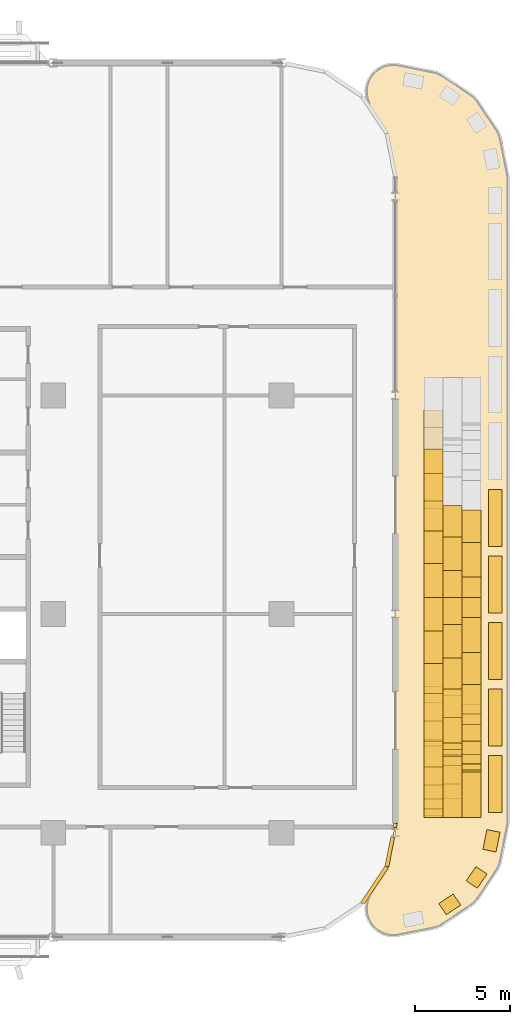
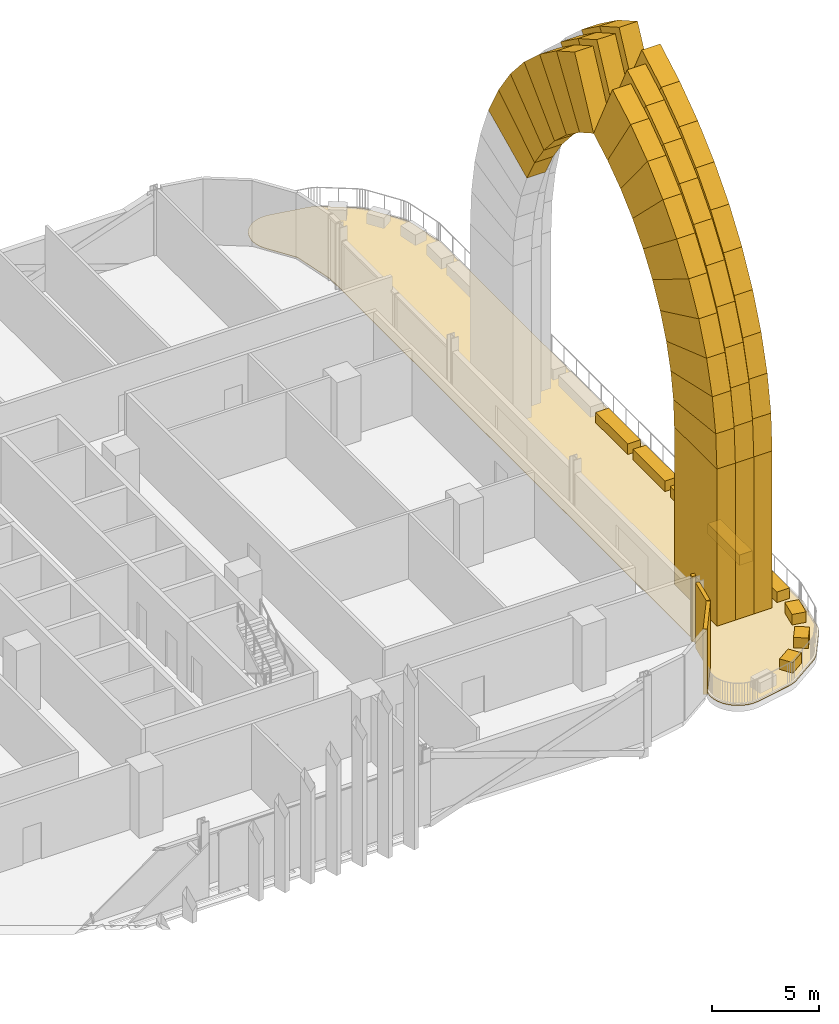
# One storey, part 30 of 33: 55 coverings.
"""IFC4 building model written with IfcOpenShell, lengths in metres."""

from ifc_helpers import new_model, si_unit, direction, frame, origin, origin_2d, place, context, subcontext, project, spatial, polyline, rectangle, outline, extrude, material, layer, layer_set, type_object, element, save


model = new_model("IFC4")

# Units and contexts
model_context = context("Model", 3, precision=1e-05, world=origin(), true_north=direction((0.0, 1.0)))
body_context = subcontext(model_context, "Body", "Model", "MODEL_VIEW")
ifc_project = project(units=[si_unit("LENGTHUNIT", "METRE"), si_unit("AREAUNIT", "SQUARE_METRE"), si_unit("VOLUMEUNIT", "CUBIC_METRE"), si_unit("PLANEANGLEUNIT", "RADIAN"), si_unit("MASSUNIT", "GRAM", prefix="KILO")], contexts=[model_context])

# Site, building, storey
site_placement = place(None, origin())
site = spatial("IfcSite", under=ifc_project, at=site_placement, CompositionType="ELEMENT")
building_placement = place(site_placement, origin())
building = spatial("IfcBuilding", under=site, at=building_placement, Name="Mahtab Terrace Research Tower", CompositionType="ELEMENT")
storey_placement = place(building_placement, frame((0.0, 0.0, 122.0)))
storey = spatial("IfcBuildingStorey", under=building, at=storey_placement, Name="L28", CompositionType="ELEMENT", Elevation=122.0)

# Coverings
ifc_material_1 = material(Name="Black aluminium cladding panel", Category="aluminium")
ifc_layer_1 = layer(ifc_material_1, 0.199951171875)
ifc_layer_set_1 = layer_set([ifc_layer_1], Name="Black metal corner cladding 200")
covering_type_1 = type_object("IfcCoveringType", Name="Black metal corner cladding 200", PredefinedType="CLADDING", material=ifc_layer_set_1)
covering_1_placement = place(storey_placement, frame((46.89306640625, -14.26953125, 0.0), z_axis=(0.0, 0.0, 1.0), x_axis=(0.555291490808, 0.831655794326, 0.0)))
element("IfcCovering", 1, at=covering_1_placement, inside=storey, type_object=covering_type_1, Name="Corner cladding L28 33", PredefinedType="CLADDING", context=body_context, shape_type="SweptSolid", body=[
    extrude(rectangle(XDim=2.30126953125, YDim=0.199951171875, at=origin_2d()), origin(), (0.0, 0.0, 1.0), 3.760009765625),
])
covering_2_placement = place(storey_placement, frame((47.700439453125, -12.50439453125, 0.0), z_axis=(0.0, 0.0, 1.0), x_axis=(0.195212442692, 0.980760981187, 0.0)))
element("IfcCovering", 2, at=covering_2_placement, inside=storey, type_object=covering_type_1, Name="Corner cladding L28 34", PredefinedType="CLADDING", context=body_context, shape_type="SweptSolid", body=[
    extrude(rectangle(XDim=1.574462890625, YDim=0.199951171875, at=origin_2d()), origin(), (0.0, 0.0, 1.0), 3.760009765625),
])
covering_3_placement = place(storey_placement, frame((47.97607421875, -11.11962890625, 0.0), z_axis=(0.0, 0.0, 1.0), x_axis=(0.195212442692, 0.980760981187, 0.0)))
element("IfcCovering", 3, at=covering_3_placement, inside=storey, type_object=covering_type_1, Name="Corner cladding L28 35", PredefinedType="CLADDING", context=body_context, shape_type="SweptSolid", body=[
    extrude(rectangle(XDim=0.22412109375, YDim=0.199951171875, at=origin_2d()), origin(), (0.0, 0.0, 1.0), 3.760009765625),
])
ifc_material_2 = material(Name="Glazed ceramic tile cladding", Category="masonry")
ifc_layer_2 = layer(ifc_material_2, 1.0)
ifc_layer_set_2 = layer_set([ifc_layer_2], Name="Iwan portal cladding arch course 800")
covering_type_2 = type_object("IfcCoveringType", Name="Iwan portal cladding arch course 800", PredefinedType="CLADDING", material=ifc_layer_set_2)
covering_4_placement = place(storey_placement, frame((49.5, -10.699951171875, 9.030029296875), z_axis=(-1.0, 0.0, 0.0), x_axis=(0.0, 0.055608128276, 0.998452670921)))
element("IfcCovering", 4, at=covering_4_placement, inside=storey, type_object=covering_type_2, Name="Iwan portal arch course 3.1.1W1", PredefinedType="CLADDING", context=body_context, shape_type="SweptSolid", body=[
    extrude(outline(polyline([(0.0, 0.0), (1.958107962389627, 0.0), (1.7367261134787464, 3.9935876808494206), (0.2224325131023262, 3.9938106836848166), (0.0, 0.0)])), origin(), (0.0, 0.0, -1.0), 1.0),
])
covering_5_placement = place(storey_placement, frame((49.5, -10.591064453125, 10.985107421875), z_axis=(-1.0, 0.0, 0.0), x_axis=(0.0, 0.165470595385, 0.986214724116)))
element("IfcCovering", 5, at=covering_5_placement, inside=storey, type_object=covering_type_2, Name="Iwan portal arch course 3.1.1W2", PredefinedType="CLADDING", context=body_context, shape_type="SweptSolid", body=[
    extrude(outline(polyline([(0.0, 0.0), (1.9578983723408883, 0.0), (1.7346238573770076, 3.994104813058729), (0.22075500727341862, 3.9936223800483646), (0.0, 0.0)])), origin(), (0.0, 0.0, -1.0), 1.0),
])
covering_6_placement = place(storey_placement, frame((49.5, -10.26708984375, 12.916015625), z_axis=(-1.0, 0.0, 0.0), x_axis=(0.0, 0.274424566844, 0.961608629908)))
element("IfcCovering", 6, at=covering_6_placement, inside=storey, type_object=covering_type_2, Name="Iwan portal arch course 3.1.1W3", PredefinedType="CLADDING", context=body_context, shape_type="SweptSolid", body=[
    extrude(outline(polyline([(0.0, 0.0), (1.9572204528841142, -1.1102230246251565e-16), (1.7376069186831846, 3.9936170770848083), (0.2235552506160865, 3.9940891097537174), (0.0, 0.0)])), origin(), (0.0, 0.0, -1.0), 1.0),
])
covering_7_placement = place(storey_placement, frame((49.5, -9.72998046875, 14.798095703125), z_axis=(-1.0, 0.0, 0.0), x_axis=(0.0, 0.378496873899, 0.925602569383)))
element("IfcCovering", 7, at=covering_7_placement, inside=storey, type_object=covering_type_2, Name="Iwan portal arch course 3.1.1W4", PredefinedType="CLADDING", context=body_context, shape_type="SweptSolid", body=[
    extrude(outline(polyline([(0.0, 0.0), (1.9576563189075162, -1.1102230246251565e-16), (1.7346084596754423, 3.993596805578827), (0.22084739797357766, 3.9935490343297317), (0.0, 0.0)])), origin(), (0.0, 0.0, -1.0), 1.0),
])
covering_8_placement = place(storey_placement, frame((49.5, -8.989013671875, 16.610107421875), z_axis=(-1.0, 0.0, 0.0), x_axis=(0.0, 0.478991884908, 0.877819328901)))
element("IfcCovering", 8, at=covering_8_placement, inside=storey, type_object=covering_type_2, Name="Iwan portal arch course 3.1.1W5", PredefinedType="CLADDING", context=body_context, shape_type="SweptSolid", body=[
    extrude(outline(polyline([(0.0, 0.0), (1.958255057765819, 1.1102230246251565e-16), (1.736319041177535, 3.9945031054163826), (0.2220386522798834, 3.9936530432589095), (0.0, 0.0)])), origin(), (0.0, 0.0, -1.0), 1.0),
])
covering_9_placement = place(storey_placement, frame((49.5, -8.051025390625, 18.3291015625), z_axis=(-1.0, 0.0, 0.0), x_axis=(0.0, 0.573546021853, 0.819173339908)))
element("IfcCovering", 9, at=covering_9_placement, inside=storey, type_object=covering_type_2, Name="Iwan portal arch course 3.1.1W6", PredefinedType="CLADDING", context=body_context, shape_type="SweptSolid", body=[
    extrude(outline(polyline([(0.0, 0.0), (1.958076304619543, -1.1102230246251565e-16), (1.7367556536446804, 3.9942182573201395), (0.2231966934196037, 3.994432862207945), (0.0, 0.0)])), origin(), (0.0, 0.0, -1.0), 1.0),
])
covering_10_placement = place(storey_placement, frame((49.5, -6.927978515625, 19.93310546875), z_axis=(-1.0, 0.0, 0.0), x_axis=(0.0, 0.6607010122, 0.750649167373)))
element("IfcCovering", 10, at=covering_10_placement, inside=storey, type_object=covering_type_2, Name="Iwan portal arch course 3.1.1W7", PredefinedType="CLADDING", context=body_context, shape_type="SweptSolid", body=[
    extrude(outline(polyline([(0.0, 0.0), (1.9569649904040556, 1.1102230246251565e-16), (1.735614963891505, 3.994272022321862), (0.22218676033727314, 3.994170171786412), (0.0, 0.0)])), origin(), (0.0, 0.0, -1.0), 1.0),
])
covering_11_placement = place(storey_placement, frame((49.5, -5.635009765625, 21.402099609375), z_axis=(-1.0, 0.0, 0.0), x_axis=(0.0, 0.739782128737, 0.672846492152)))
element("IfcCovering", 11, at=covering_11_placement, inside=storey, type_object=covering_type_2, Name="Iwan portal arch course 3.1.1W8", PredefinedType="CLADDING", context=body_context, shape_type="SweptSolid", body=[
    extrude(outline(polyline([(0.0, 0.0), (1.958650463547607, 1.1102230246251565e-16), (1.736565067343301, 3.9938441490873515), (0.22244351393524875, 3.994211274538244), (0.0, 0.0)])), origin(), (0.0, 0.0, -1.0), 1.0),
])
covering_12_placement = place(storey_placement, frame((49.5, -4.18603515625, 22.719970703125), z_axis=(-1.0, 0.0, 0.0), x_axis=(0.0, 0.809651927996, 0.586910347065)))
element("IfcCovering", 12, at=covering_12_placement, inside=storey, type_object=covering_type_2, Name="Iwan portal arch course 3.1.1W9", PredefinedType="CLADDING", context=body_context, shape_type="SweptSolid", body=[
    extrude(outline(polyline([(0.0, 0.0), (1.9575831078709793, 0.0), (1.7353460516066253, 3.9937908281845615), (0.2209386892870886, 3.99390774880725), (0.0, 0.0)])), origin(), (0.0, 0.0, -1.0), 1.0),
])
covering_13_placement = place(storey_placement, frame((49.5, -2.60107421875, 23.868896484375), z_axis=(-1.0, 0.0, 0.0), x_axis=(0.0, 0.869811744369, 0.493383754655)))
element("IfcCovering", 13, at=covering_13_placement, inside=storey, type_object=covering_type_2, Name="Iwan portal arch course 3.1.1W10", PredefinedType="CLADDING", context=body_context, shape_type="SweptSolid", body=[
    extrude(outline(polyline([(0.0, 0.0), (1.958038634250281, -1.1102230246251565e-16), (1.7366199670600084, 3.993695718203156), (0.22257728191069415, 3.993771881573285), (0.0, 0.0)])), origin(), (0.0, 0.0, -1.0), 1.0),
])
covering_14_placement = place(storey_placement, frame((49.5, 7.135986328125, 14.89208984375), z_axis=(-1.0, 0.0, 0.0), x_axis=(0.0, -0.479484585332, 0.877550301937)))
element("IfcCovering", 14, at=covering_14_placement, inside=storey, type_object=covering_type_2, Name="Iwan portal arch course 3.1.1E5", PredefinedType="CLADDING", context=body_context, shape_type="SweptSolid", body=[
    extrude(outline(polyline([(0.0, 0.0), (1.514280627494684, 1.1102230246251565e-16), (1.7339742401193667, 3.994627062844805), (-0.2242805090947626, 3.9935277695638485), (0.0, 0.0)])), origin(), (0.0, 0.0, -1.0), 1.0),
])
covering_15_placement = place(storey_placement, frame((49.5, 6.409912109375, 16.220947265625), z_axis=(-1.0, 0.0, 0.0), x_axis=(0.0, -0.573429866929, 0.819254653764)))
element("IfcCovering", 15, at=covering_15_placement, inside=storey, type_object=covering_type_2, Name="Iwan portal arch course 3.1.1E6", PredefinedType="CLADDING", context=body_context, shape_type="SweptSolid", body=[
    extrude(outline(polyline([(0.0, 0.0), (1.5135589754393033, 1.1102230246251565e-16), (1.7354459574311054, 3.994186836501272), (-0.22263032750594292, 3.9944644687260387), (0.0, 0.0)])), origin(), (0.0, 0.0, -1.0), 1.0),
])
covering_16_placement = place(storey_placement, frame((49.5, 5.5419921875, 17.4609375), z_axis=(-1.0, 0.0, 0.0), x_axis=(0.0, -0.660751527814, 0.750604701885)))
element("IfcCovering", 16, at=covering_16_placement, inside=storey, type_object=covering_type_2, Name="Iwan portal arch course 3.1.1E7", PredefinedType="CLADDING", context=body_context, shape_type="SweptSolid", body=[
    extrude(outline(polyline([(0.0, 0.0), (1.5134282069813951, -1.1102230246251565e-16), (1.7345094268859211, 3.9942869096680838), (-0.22245555908658066, 3.994155210039909), (0.0, 0.0)])), origin(), (0.0, 0.0, -1.0), 1.0),
])
covering_17_placement = place(storey_placement, frame((49.5, 4.5419921875, 18.596923828125), z_axis=(-1.0, 0.0, 0.0), x_axis=(0.0, -0.739618963507, 0.673025845581)))
element("IfcCovering", 17, at=covering_17_placement, inside=storey, type_object=covering_type_2, Name="Iwan portal arch course 3.1.1E8", PredefinedType="CLADDING", context=body_context, shape_type="SweptSolid", body=[
    extrude(outline(polyline([(0.0, 0.0), (1.514121597916069, 0.0), (1.7371753654529443, 3.9937901831711318), (-0.22147504051959888, 3.9942650924753513), (0.0, 0.0)])), origin(), (0.0, 0.0, -1.0), 1.0),
])
covering_18_placement = place(storey_placement, frame((49.5, 3.422119140625, 19.615966796875), z_axis=(-1.0, 0.0, 0.0), x_axis=(0.0, -0.809606612859, 0.586972854922)))
element("IfcCovering", 18, at=covering_18_placement, inside=storey, type_object=covering_type_2, Name="Iwan portal arch course 3.1.1E9", PredefinedType="CLADDING", context=body_context, shape_type="SweptSolid", body=[
    extrude(outline(polyline([(0.0, 0.0), (1.5144073668329958, 0.0), (1.7369527651707508, 3.993773658352068), (-0.22063033686595168, 3.993924794592521), (0.0, 0.0)])), origin(), (0.0, 0.0, -1.0), 1.0),
])
covering_19_placement = place(storey_placement, frame((49.5, 2.196044921875, 20.5048828125), z_axis=(-1.0, 0.0, 0.0), x_axis=(0.0, -0.86966906985, 0.493635198245)))
element("IfcCovering", 19, at=covering_19_placement, inside=storey, type_object=covering_type_2, Name="Iwan portal arch course 3.1.1E10", PredefinedType="CLADDING", context=body_context, shape_type="SweptSolid", body=[
    extrude(outline(polyline([(0.0, 0.0), (1.5134056792457524, 0.0), (1.7366158867680235, 3.9932699895367305), (-0.22142266565592283, 3.9938360621840747), (0.0, 0.0)])), origin(), (0.0, 0.0, -1.0), 1.0),
])
covering_20_placement = place(storey_placement, frame((50.5, -10.699951171875, 9.030029296875), z_axis=(-1.0, 0.0, 0.0), x_axis=(0.0, 0.055709925192, 0.998446996207)))
element("IfcCovering", 20, at=covering_20_placement, inside=storey, type_object=covering_type_2, Name="Iwan portal arch course 3.1.2W1", PredefinedType="CLADDING", context=body_context, shape_type="SweptSolid", body=[
    extrude(outline(polyline([(0.0, 0.0), (2.0290299975319614, -1.3877787807814457e-17), (1.8517545686114756, 3.194769130084838), (0.17826904040347785, 3.1949816355681624), (0.0, 0.0)])), origin(), (0.0, 0.0, -1.0), 1.0),
])
covering_21_placement = place(storey_placement, frame((50.5, -10.5869140625, 11.055908203125), z_axis=(-1.0, 0.0, 0.0), x_axis=(0.0, 0.165648245085, 0.98618490097)))
element("IfcCovering", 21, at=covering_21_placement, inside=storey, type_object=covering_type_2, Name="Iwan portal arch course 3.1.2W2", PredefinedType="CLADDING", context=body_context, shape_type="SweptSolid", body=[
    extrude(outline(polyline([(0.0, 0.0), (2.02801725927228, -5.551115123125783e-17), (1.850887399816214, 3.1945682774839326), (0.1766737173385941, 3.1948024617875417), (0.0, 0.0)])), origin(), (0.0, 0.0, -1.0), 1.0),
])
covering_22_placement = place(storey_placement, frame((50.5, -10.2509765625, 13.055908203125), z_axis=(-1.0, 0.0, 0.0), x_axis=(0.0, 0.273879057968, 0.961764140321)))
element("IfcCovering", 22, at=covering_22_placement, inside=storey, type_object=covering_type_2, Name="Iwan portal arch course 3.1.2W3", PredefinedType="CLADDING", context=body_context, shape_type="SweptSolid", body=[
    extrude(outline(polyline([(0.0, 0.0), (2.029757978758886, 0.0), (1.8509331479999127, 3.195322188910018), (0.17785738782110838, 3.1945278549756044), (0.0, 0.0)])), origin(), (0.0, 0.0, -1.0), 1.0),
])
covering_23_placement = place(storey_placement, frame((50.5, -9.695068359375, 15.008056640625), z_axis=(-1.0, 0.0, 0.0), x_axis=(0.0, 0.378726593786, 0.925508599182)))
element("IfcCovering", 23, at=covering_23_placement, inside=storey, type_object=covering_type_2, Name="Iwan portal arch course 3.1.2W4", PredefinedType="CLADDING", context=body_context, shape_type="SweptSolid", body=[
    extrude(outline(polyline([(0.0, 0.0), (2.028023431288962, 0.0), (1.8499282799344112, 3.1953694982217566), (0.17621580452516306, 3.195467133498987), (0.0, 0.0)])), origin(), (0.0, 0.0, -1.0), 1.0),
])
covering_24_placement = place(storey_placement, frame((50.5, -8.927001953125, 16.885009765625), z_axis=(-1.0, 0.0, 0.0), x_axis=(0.0, 0.479029165307, 0.877798985409)))
element("IfcCovering", 24, at=covering_24_placement, inside=storey, type_object=covering_type_2, Name="Iwan portal arch course 3.1.2W5", PredefinedType="CLADDING", context=body_context, shape_type="SweptSolid", body=[
    extrude(outline(polyline([(0.0, 0.0), (2.028944996495774, 0.0), (1.8510331169808611, 3.1957153390415747), (0.17736922458824278, 3.195409875316612), (0.0, 0.0)])), origin(), (0.0, 0.0, -1.0), 1.0),
])
covering_25_placement = place(storey_placement, frame((50.5, -7.955078125, 18.666015625), z_axis=(-1.0, 0.0, 0.0), x_axis=(0.0, 0.573712659527, 0.819056642912)))
element("IfcCovering", 25, at=covering_25_placement, inside=storey, type_object=covering_type_2, Name="Iwan portal arch course 3.1.2W6", PredefinedType="CLADDING", context=body_context, shape_type="SweptSolid", body=[
    extrude(outline(polyline([(0.0, 0.0), (2.028999152570184, 1.1102230246251565e-16), (1.8534085840724372, 3.1949582924909015), (0.1787234710143928, 3.1956700527380333), (0.0, 0.0)])), origin(), (0.0, 0.0, -1.0), 1.0),
])
covering_26_placement = place(storey_placement, frame((50.5, -6.791015625, 20.327880859375), z_axis=(-1.0, 0.0, 0.0), x_axis=(0.0, 0.660538368722, 0.750792290482)))
element("IfcCovering", 26, at=covering_26_placement, inside=storey, type_object=covering_type_2, Name="Iwan portal arch course 3.1.2W7", PredefinedType="CLADDING", context=body_context, shape_type="SweptSolid", body=[
    extrude(outline(polyline([(0.0, 0.0), (2.028781300348527, -2.220446049250313e-16), (1.8505897097377262, 3.194902601381467), (0.17781817676133138, 3.194835087217338), (0.0, 0.0)])), origin(), (0.0, 0.0, -1.0), 1.0),
])
covering_27_placement = place(storey_placement, frame((50.5, -5.450927734375, 21.85107421875), z_axis=(-1.0, 0.0, 0.0), x_axis=(0.0, 0.739825716282, 0.672798565343)))
element("IfcCovering", 27, at=covering_27_placement, inside=storey, type_object=covering_type_2, Name="Iwan portal arch course 3.1.2W8", PredefinedType="CLADDING", context=body_context, shape_type="SweptSolid", body=[
    extrude(outline(polyline([(0.0, 0.0), (2.028824531868992, 0.0), (1.851179307913215, 3.194853589216456), (0.17769220082612658, 3.1949304150550826), (0.0, 0.0)])), origin(), (0.0, 0.0, -1.0), 1.0),
])
covering_28_placement = place(storey_placement, frame((50.5, -3.949951171875, 23.216064453125), z_axis=(-1.0, 0.0, 0.0), x_axis=(0.0, 0.809681903413, 0.586868993291)))
element("IfcCovering", 28, at=covering_28_placement, inside=storey, type_object=covering_type_2, Name="Iwan portal arch course 3.1.2W9", PredefinedType="CLADDING", context=body_context, shape_type="SweptSolid", body=[
    extrude(outline(polyline([(0.0, 0.0), (2.0292739646580293, 0.0), (1.8515822290976784, 3.194632593223983), (0.1767055866329308, 3.194905697790825), (0.0, 0.0)])), origin(), (0.0, 0.0, -1.0), 1.0),
])
covering_29_placement = place(storey_placement, frame((50.5, -2.306884765625, 24.406982421875), z_axis=(-1.0, 0.0, 0.0), x_axis=(0.0, 0.869720828921, 0.493543999803)))
element("IfcCovering", 29, at=covering_29_placement, inside=storey, type_object=covering_type_2, Name="Iwan portal arch course 3.1.2W10", PredefinedType="CLADDING", context=body_context, shape_type="SweptSolid", body=[
    extrude(outline(polyline([(0.0, 0.0), (2.028140475621127, 0.0), (1.85114339975816, 3.1948308695194805), (0.17736296660691409, 3.1946508630289845), (0.0, 0.0)])), origin(), (0.0, 0.0, -1.0), 1.0),
])
covering_30_placement = place(storey_placement, frame((50.5, 3.69091796875, 20.73291015625), z_axis=(-1.0, 0.0, 0.0), x_axis=(0.0, -0.809586198079, 0.587001011823)))
element("IfcCovering", 30, at=covering_30_placement, inside=storey, type_object=covering_type_2, Name="Iwan portal arch course 3.1.2E9", PredefinedType="CLADDING", context=body_context, shape_type="SweptSolid", body=[
    extrude(outline(polyline([(0.0, 0.0), (1.674876664730896, 0.0), (1.8530893131515505, 3.1946035764267116), (-0.17618462452890093, 3.194934468843325), (0.0, 0.0)])), origin(), (0.0, 0.0, -1.0), 1.0),
])
covering_31_placement = place(storey_placement, frame((50.5, 2.3349609375, 21.716064453125), z_axis=(-1.0, 0.0, 0.0), x_axis=(0.0, -0.869667292019, 0.493638330352)))
element("IfcCovering", 31, at=covering_31_placement, inside=storey, type_object=covering_type_2, Name="Iwan portal arch course 3.1.2E10", PredefinedType="CLADDING", context=body_context, shape_type="SweptSolid", body=[
    extrude(outline(polyline([(0.0, 0.0), (1.673143440432809, -1.1102230246251565e-16), (1.8511240029317881, 3.1944501013937416), (-0.17701646075935806, 3.194670081744854), (0.0, 0.0)])), origin(), (0.0, 0.0, -1.0), 1.0),
])
covering_32_placement = place(storey_placement, frame((51.5, -10.699951171875, 9.030029296875), z_axis=(-1.0, 0.0, 0.0), x_axis=(0.0, 0.055682482762, 0.998448527023)))
element("IfcCovering", 32, at=covering_32_placement, inside=storey, type_object=covering_type_2, Name="Iwan portal arch course 3.1.3W1", PredefinedType="CLADDING", context=body_context, shape_type="SweptSolid", body=[
    extrude(outline(polyline([(0.0, 0.0), (2.1001822040623797, -1.3877787807814457e-17), (1.9675288173864898, 2.396113741262445), (0.13363252088661404, 2.3961789601150896), (0.0, 0.0)])), origin(), (0.0, 0.0, -1.0), 1.0),
])
covering_33_placement = place(storey_placement, frame((51.5, -10.5830078125, 11.126953125), z_axis=(-1.0, 0.0, 0.0), x_axis=(0.0, 0.165737941798, 0.98616983053)))
element("IfcCovering", 33, at=covering_33_placement, inside=storey, type_object=covering_type_2, Name="Iwan portal arch course 3.1.3W2", PredefinedType="CLADDING", context=body_context, shape_type="SweptSolid", body=[
    extrude(outline(polyline([(0.0, 0.0), (2.0990992578443097, 5.551115123125783e-17), (1.966329672996744, 2.3962093928384087), (0.13309448436957322, 2.396089280534782), (0.0, 0.0)])), origin(), (0.0, 0.0, -1.0), 1.0),
])
covering_34_placement = place(storey_placement, frame((51.5, -10.235107421875, 13.197021484375), z_axis=(-1.0, 0.0, 0.0), x_axis=(0.0, 0.273861281219, 0.961769202381)))
element("IfcCovering", 34, at=covering_34_placement, inside=storey, type_object=covering_type_2, Name="Iwan portal arch course 3.1.3W3", PredefinedType="CLADDING", context=body_context, shape_type="SweptSolid", body=[
    extrude(outline(polyline([(0.0, 0.0), (2.100316298597295, 0.0), (1.9662459095323535, 2.396145508134793), (0.13323951192948402, 2.396183308816002), (0.0, 0.0)])), origin(), (0.0, 0.0, -1.0), 1.0),
])
covering_35_placement = place(storey_placement, frame((51.5, -9.659912109375, 15.217041015625), z_axis=(-1.0, 0.0, 0.0), x_axis=(0.0, 0.379076522814, 0.925365327777)))
element("IfcCovering", 35, at=covering_35_placement, inside=storey, type_object=covering_type_2, Name="Iwan portal arch course 3.1.3W4", PredefinedType="CLADDING", context=body_context, shape_type="SweptSolid", body=[
    extrude(outline(polyline([(0.0, 0.0), (2.0995719586964063, 1.1102230246251565e-16), (1.9669707470982734, 2.3960895520481547), (0.13312180817562247, 2.3961983952850447), (0.0, 0.0)])), origin(), (0.0, 0.0, -1.0), 1.0),
])
covering_36_placement = place(storey_placement, frame((51.5, -8.864013671875, 17.159912109375), z_axis=(-1.0, 0.0, 0.0), x_axis=(0.0, 0.479153518819, 0.877731112245)))
element("IfcCovering", 36, at=covering_36_placement, inside=storey, type_object=covering_type_2, Name="Iwan portal arch course 3.1.3W5", PredefinedType="CLADDING", context=body_context, shape_type="SweptSolid", body=[
    extrude(outline(polyline([(0.0, 0.0), (2.0997519085431797, 0.0), (1.9664233302015228, 2.3956120359769586), (0.13337601221277962, 2.396046548403815), (0.0, 0.0)])), origin(), (0.0, 0.0, -1.0), 1.0),
])
covering_37_placement = place(storey_placement, frame((51.5, -7.85791015625, 19.0029296875), z_axis=(-1.0, 0.0, 0.0), x_axis=(0.0, 0.573150264957, 0.819450287558)))
element("IfcCovering", 37, at=covering_37_placement, inside=storey, type_object=covering_type_2, Name="Iwan portal arch course 3.1.3W6", PredefinedType="CLADDING", context=body_context, shape_type="SweptSolid", body=[
    extrude(outline(polyline([(0.0, 0.0), (2.1004219931129016, -1.1102230246251565e-16), (1.966004341716326, 2.395542317139529), (0.1320326960009801, 2.3956838071638313), (0.0, 0.0)])), origin(), (0.0, 0.0, -1.0), 1.0),
])
covering_38_placement = place(storey_placement, frame((51.5, -6.654052734375, 20.72412109375), z_axis=(-1.0, 0.0, 0.0), x_axis=(0.0, 0.660667217986, 0.750678910773)))
element("IfcCovering", 38, at=covering_38_placement, inside=storey, type_object=covering_type_2, Name="Iwan portal arch course 3.1.3W7", PredefinedType="CLADDING", context=body_context, shape_type="SweptSolid", body=[
    extrude(outline(polyline([(0.0, 0.0), (2.099336629495893, 0.0), (1.966386463479545, 2.396520577734406), (0.13263668847600596, 2.3956415856891686), (0.0, 0.0)])), origin(), (0.0, 0.0, -1.0), 1.0),
])
covering_39_placement = place(storey_placement, frame((51.5, -5.26708984375, 22.300048828125), z_axis=(-1.0, 0.0, 0.0), x_axis=(0.0, 0.739692719167, 0.672944783182)))
element("IfcCovering", 39, at=covering_39_placement, inside=storey, type_object=covering_type_2, Name="Iwan portal arch course 3.1.3W8", PredefinedType="CLADDING", context=body_context, shape_type="SweptSolid", body=[
    extrude(outline(polyline([(0.0, 0.0), (2.0994914176985358, 0.0), (1.9666050231012215, 2.3961182181786476), (0.13311155600246605, 2.396511618959279), (0.0, 0.0)])), origin(), (0.0, 0.0, -1.0), 1.0),
])
covering_40_placement = place(storey_placement, frame((51.5, -3.714111328125, 23.712890625), z_axis=(-1.0, 0.0, 0.0), x_axis=(0.0, 0.809715413076, 0.586822758443)))
element("IfcCovering", 40, at=covering_40_placement, inside=storey, type_object=covering_type_2, Name="Iwan portal arch course 3.1.3W9", PredefinedType="CLADDING", context=body_context, shape_type="SweptSolid", body=[
    extrude(outline(polyline([(0.0, 0.0), (2.0997442867493366, 0.0), (1.9671781432623185, 2.396241376808018), (0.1334825771518564, 2.3960850800740756), (0.0, 0.0)])), origin(), (0.0, 0.0, -1.0), 1.0),
])
covering_41_placement = place(storey_placement, frame((51.5, -2.013916015625, 24.945068359375), z_axis=(-1.0, 0.0, 0.0), x_axis=(0.0, 0.869890849414, 0.493244270221)))
element("IfcCovering", 41, at=covering_41_placement, inside=storey, type_object=covering_type_2, Name="Iwan portal arch course 3.1.3W10", PredefinedType="CLADDING", context=body_context, shape_type="SweptSolid", body=[
    extrude(outline(polyline([(0.0, 0.0), (2.1001534825958053, 0.0), (1.9678082600306763, 2.3964199904309527), (0.1344390090907811, 2.396137030964735), (0.0, 0.0)])), origin(), (0.0, 0.0, -1.0), 1.0),
])
covering_42_placement = place(storey_placement, frame((51.5, 3.958984375, 21.85107421875), z_axis=(-1.0, 0.0, 0.0), x_axis=(0.0, -0.809765428514, 0.586753739471)))
element("IfcCovering", 42, at=covering_42_placement, inside=storey, type_object=covering_type_2, Name="Iwan portal arch course 3.1.3E9", PredefinedType="CLADDING", context=body_context, shape_type="SweptSolid", body=[
    extrude(outline(polyline([(0.0, 0.0), (1.8336955727715103, -1.1102230246251565e-16), (1.9660574699324078, 2.396252667501024), (-0.13348911255161622, 2.395930443434809), (0.0, 0.0)])), origin(), (0.0, 0.0, -1.0), 1.0),
])
covering_43_placement = place(storey_placement, frame((51.5, 2.47412109375, 22.927001953125), z_axis=(-1.0, 0.0, 0.0), x_axis=(0.0, -0.869869774773, 0.493281435832)))
element("IfcCovering", 43, at=covering_43_placement, inside=storey, type_object=covering_type_2, Name="Iwan portal arch course 3.1.3E10", PredefinedType="CLADDING", context=body_context, shape_type="SweptSolid", body=[
    extrude(outline(polyline([(0.0, 0.0), (1.8327321255256779, 0.0), (1.9658168465961805, 2.3960530436837746), (-0.13433663408279062, 2.3961427726805247), (0.0, 0.0)])), origin(), (0.0, 0.0, -1.0), 1.0),
])
ifc_layer_3 = layer(ifc_material_2, 1.0)
ifc_layer_set_3 = layer_set([ifc_layer_3], Name="Iwan portal cladding pilaster 900")
covering_type_3 = type_object("IfcCoveringType", Name="Iwan portal cladding pilaster 900", PredefinedType="CLADDING", material=ifc_layer_set_3)
covering_44_placement = place(storey_placement, frame((50.0, -8.699951171875, 0.030029296875), z_axis=(0.0, 0.0, 1.0), x_axis=(0.0, 1.0, 0.0)))
element("IfcCovering", 44, at=covering_44_placement, inside=storey, type_object=covering_type_3, Name="Iwan portal pilaster 3.1.1W", PredefinedType="CLADDING", context=body_context, shape_type="SweptSolid", body=[
    extrude(rectangle(XDim=4.0, YDim=1.0, at=origin_2d()), origin(), (0.0, 0.0, 1.0), 9.0),
])
covering_45_placement = place(storey_placement, frame((51.0, -9.10009765625, 0.030029296875), z_axis=(0.0, 0.0, 1.0), x_axis=(0.0, 1.0, 0.0)))
element("IfcCovering", 45, at=covering_45_placement, inside=storey, type_object=covering_type_3, Name="Iwan portal pilaster 3.1.2W", PredefinedType="CLADDING", context=body_context, shape_type="SweptSolid", body=[
    extrude(rectangle(XDim=3.199951171875, YDim=1.0, at=origin_2d()), origin(), (0.0, 0.0, 1.0), 9.0),
])
covering_46_placement = place(storey_placement, frame((52.0, -9.5, 0.030029296875), z_axis=(0.0, 0.0, 1.0), x_axis=(0.0, 1.0, 0.0)))
element("IfcCovering", 46, at=covering_46_placement, inside=storey, type_object=covering_type_3, Name="Iwan portal pilaster 3.1.3W", PredefinedType="CLADDING", context=body_context, shape_type="SweptSolid", body=[
    extrude(rectangle(XDim=2.39990234375, YDim=1.0, at=origin_2d()), origin(), (0.0, 0.0, 1.0), 9.0),
])
ifc_material_3 = material(Name="Planting soil and shrubs")
ifc_layer_4 = layer(ifc_material_3, 0.1201171875)
ifc_layer_set_4 = layer_set([ifc_layer_4], Name="Planter")
covering_type_4 = type_object("IfcCoveringType", Name="Planter", PredefinedType="USERDEFINED", material=ifc_layer_set_4)
for number, where, z_axis, x_axis, name in (
    (47, (50.853759765625, -15.268798828125, 0.030029296875), (0.0, 0.0, 1.0), (0.831344457855, 0.555757494231, 0.0), "PLANTER terrace 3"),
    (48, (52.268798828125, -13.853759765625, 0.030029296875), (0.0, 0.0, 1.0), (0.555757494231, 0.831344457855, 0.0), "PLANTER terrace 3"),
):
    element("IfcCovering", number, at=place(storey_placement, frame(where, z_axis=z_axis, x_axis=x_axis)), inside=storey, type_object=covering_type_4, Name=name, ObjectType="PLANTER", PredefinedType="USERDEFINED", context=body_context, shape_type="SweptSolid", body=[
        extrude(rectangle(XDim=0.908447265625, YDim=0.699951171875, at=origin_2d()), origin(), (0.0, 0.0, 1.0), 0.60009765625),
    ])
covering_47_placement = place(storey_placement, frame((53.05029296875, -11.92822265625, 0.030029296875), z_axis=(0.0, 0.0, 1.0), x_axis=(0.195303993071, 0.980742754391, 0.0)))
element("IfcCovering", 49, at=covering_47_placement, inside=storey, type_object=covering_type_4, Name="PLANTER terrace 3", ObjectType="PLANTER", PredefinedType="USERDEFINED", context=body_context, shape_type="SweptSolid", body=[
    extrude(rectangle(XDim=1.060546875, YDim=0.699951171875, at=origin_2d()), origin(), (0.0, 0.0, 1.0), 0.60009765625),
])
for number, where, z_axis, x_axis, name in (
    (50, (53.25, -8.93408203125, 0.030029296875), (0.0, 0.0, 1.0), (0.0, 1.0, 0.0), "PLANTER terrace 3"),
    (51, (53.25, -5.43408203125, 0.030029296875), (0.0, 0.0, 1.0), (0.0, 1.0, 0.0), "PLANTER terrace 3"),
    (52, (53.25, -1.93408203125, 0.030029296875), (0.0, 0.0, 1.0), (0.0, 1.0, 0.0), "PLANTER terrace 3"),
    (53, (53.25, 1.56591796875, 0.030029296875), (0.0, 0.0, 1.0), (0.0, 1.0, 0.0), "PLANTER terrace 3"),
    (54, (53.25, 5.06591796875, 0.030029296875), (0.0, 0.0, 1.0), (0.0, 1.0, 0.0), "PLANTER terrace 3"),
):
    element("IfcCovering", number, at=place(storey_placement, frame(where, z_axis=z_axis, x_axis=x_axis)), inside=storey, type_object=covering_type_4, Name=name, ObjectType="PLANTER", PredefinedType="USERDEFINED", context=body_context, shape_type="SweptSolid", body=[
        extrude(rectangle(XDim=3.0, YDim=0.699951171875, at=origin_2d()), origin(), (0.0, 0.0, 1.0), 0.60009765625),
    ])
ifc_material_4 = material(Name="Granite paving", Category="masonry")
ifc_layer_5 = layer(ifc_material_4, 0.030029296875)
ifc_layer_set_5 = layer_set([ifc_layer_5], Name="Terrace roof build-up with granite pavers")
covering_type_5 = type_object("IfcCoveringType", Name="Terrace roof build-up with granite pavers", PredefinedType="ROOFING", material=ifc_layer_set_5)
covering_48_placement = place(storey_placement, origin())
element("IfcCovering", 55, at=covering_48_placement, inside=storey, type_object=covering_type_5, Name="Terrace paving 3", PredefinedType="ROOFING", context=body_context, shape_type="SweptSolid", body=[
    extrude(outline(polyline([(47.52294921875, 25.326904296875), (47.5419921875, 25.294921875), (47.550048828125, 25.260009765625), (47.992919921875, 23.035888671875), (47.998046875, 23.0), (48.0, 22.962890625), (48.0, -10.962890625), (47.998046875, -11.0), (47.992919921875, -11.035888671875), (47.550048828125, -13.260009765625), (47.5419921875, -13.294921875), (47.52294921875, -13.326904296875), (46.631103515625, -14.660888671875), (46.554931640625, -14.7880859375), (46.491943359375, -14.9208984375), (46.443115234375, -15.05908203125), (46.406982421875, -15.201904296875), (46.385009765625, -15.347900390625), (46.3779296875, -15.4951171875), (46.385009765625, -15.64208984375), (46.406982421875, -15.787109375), (46.443115234375, -15.929931640625), (46.491943359375, -16.069091796875), (46.554931640625, -16.201904296875), (46.631103515625, -16.327880859375), (46.718994140625, -16.446044921875), (46.81689453125, -16.555908203125), (46.927001953125, -16.654052734375), (47.044921875, -16.741943359375), (47.1708984375, -16.818115234375), (47.303955078125, -16.881103515625), (47.443115234375, -16.929931640625), (47.5859375, -16.966064453125), (47.73095703125, -16.988037109375), (47.8779296875, -16.9951171875), (48.02490234375, -16.988037109375), (48.1708984375, -16.966064453125), (50.0029296875, -16.60107421875), (50.14599609375, -16.56591796875), (50.284912109375, -16.51611328125), (50.41796875, -16.452880859375), (50.5439453125, -16.3779296875), (51.9951171875, -15.407958984375), (52.113037109375, -15.321044921875), (52.221923828125, -15.221923828125), (52.321044921875, -15.113037109375), (52.407958984375, -14.9951171875), (53.3779296875, -13.5439453125), (53.452880859375, -13.41796875), (53.51611328125, -13.284912109375), (53.56591796875, -13.14599609375), (53.60107421875, -13.0029296875), (53.970947265625, -11.14501953125), (53.992919921875, -10.9990234375), (54.0, -10.85205078125), (54.0, 22.85205078125), (53.992919921875, 22.9990234375), (53.970947265625, 23.14501953125), (53.60107421875, 25.0029296875), (53.56591796875, 25.14599609375), (53.51611328125, 25.284912109375), (53.452880859375, 25.41796875), (53.3779296875, 25.5439453125), (52.407958984375, 26.9951171875), (52.321044921875, 27.113037109375), (52.221923828125, 27.221923828125), (52.113037109375, 27.321044921875), (51.9951171875, 27.407958984375), (50.5439453125, 28.3779296875), (50.41796875, 28.452880859375), (50.284912109375, 28.51611328125), (50.14599609375, 28.56591796875), (50.0029296875, 28.60107421875), (48.1708984375, 28.966064453125), (48.02490234375, 28.988037109375), (47.8779296875, 28.9951171875), (47.73095703125, 28.988037109375), (47.5859375, 28.966064453125), (47.443115234375, 28.929931640625), (47.303955078125, 28.881103515625), (47.1708984375, 28.818115234375), (47.044921875, 28.741943359375), (46.927001953125, 28.654052734375), (46.81689453125, 28.555908203125), (46.718994140625, 28.446044921875), (46.631103515625, 28.327880859375), (46.554931640625, 28.201904296875), (46.491943359375, 28.069091796875), (46.443115234375, 27.929931640625), (46.406982421875, 27.787109375), (46.385009765625, 27.64208984375), (46.3779296875, 27.4951171875), (46.385009765625, 27.347900390625), (46.406982421875, 27.201904296875), (46.443115234375, 27.05908203125), (46.491943359375, 26.9208984375), (46.554931640625, 26.7880859375), (46.631103515625, 26.660888671875), (47.52294921875, 25.326904296875)])), origin(), (0.0, 0.0, 1.0), 0.030029296875),
])

save(model, "model.ifc")
